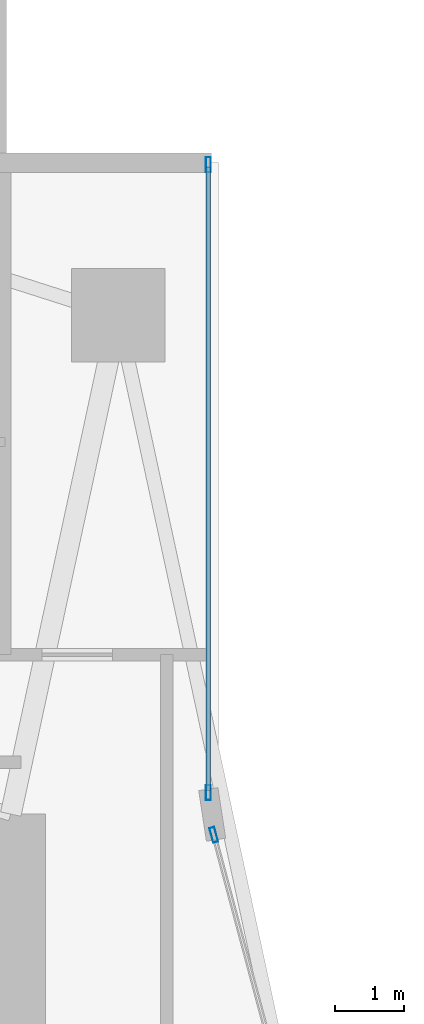
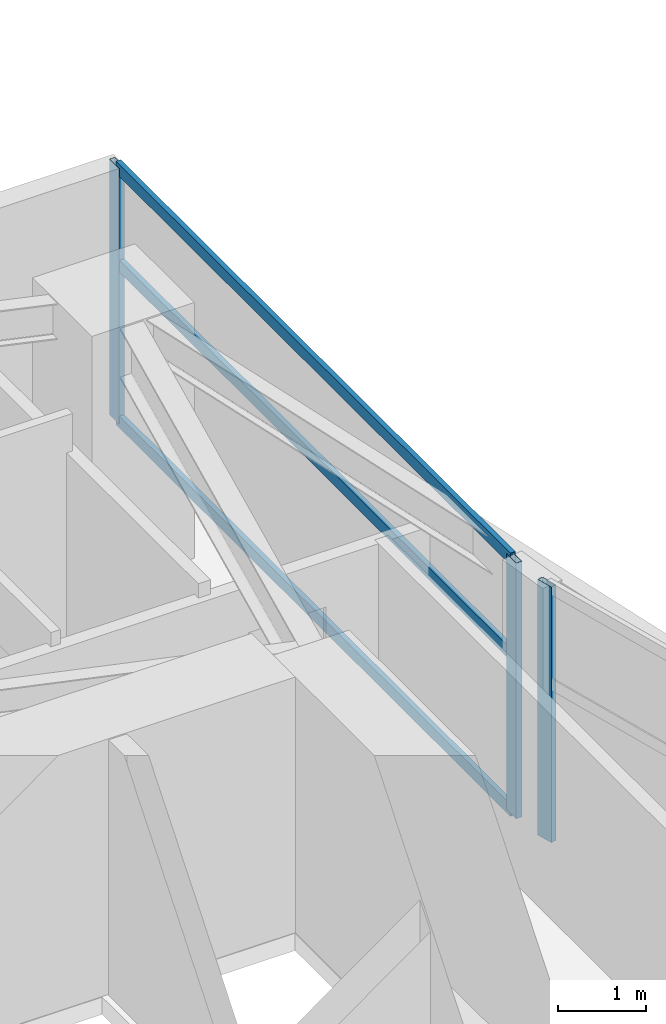
# One storey, part 18 of 30: 6 members, 2 elements without a shape of their own.
"""IFC4 building model written with IfcOpenShell, lengths in metres."""

from ifc_helpers import new_model, si_unit, direction, frame, origin, origin_2d, place, context, subcontext, project, spatial, hollow_rectangle, extrude, material, layer, layer_set, material_profile, profile_set, type_object, element, aggregate, save


model = new_model("IFC4")

# Units and contexts
model_context = context("Model", 3, precision=1e-05, world=origin(), true_north=direction((0.0, 1.0)))
body_context = subcontext(model_context, "Body", "Model", "MODEL_VIEW")
ifc_project = project(units=[si_unit("LENGTHUNIT", "METRE"), si_unit("AREAUNIT", "SQUARE_METRE"), si_unit("VOLUMEUNIT", "CUBIC_METRE"), si_unit("PLANEANGLEUNIT", "RADIAN"), si_unit("MASSUNIT", "GRAM", prefix="KILO")], contexts=[model_context])

# Site, building, storey
site_placement = place(None, origin())
site = spatial("IfcSite", under=ifc_project, at=site_placement, CompositionType="ELEMENT")
building_placement = place(site_placement, origin())
building = spatial("IfcBuilding", under=site, at=building_placement, Name="Calvorn Quay Hotel", CompositionType="ELEMENT")
storey_placement = place(building_placement, frame((0.0, 0.0, 77.39990234375)))
storey = spatial("IfcBuildingStorey", under=building, at=storey_placement, Name="L18", CompositionType="ELEMENT", Elevation=77.39990234375)

# Curtain wall, member
ifc_material_1 = material(Name="Pale Anodised Aluminium and Low-E Glass", Category="aluminium")
ifc_layer = layer(ifc_material_1, 0.219970703125)
ifc_layer_set = layer_set([ifc_layer], Name="CW-SYS-Z1")
curtain_wall_type = type_object("IfcCurtainWallType", Name="CW-SYS-Z1", PredefinedType="NOTDEFINED", material=ifc_layer_set)
curtain_wall_1_placement = place(storey_placement, origin())
curtain_wall_1 = element("IfcCurtainWall", 1, at=curtain_wall_1_placement, inside=storey, type_object=curtain_wall_type, Name="Inner Court Curtain Wall L18-IC1", PredefinedType="NOTDEFINED")
ifc_material_2 = material(Name="Pale Anodised Aluminium 6063-T6", Category="aluminium")
ifc_material_profile_1 = material_profile(ifc_material_2, hollow_rectangle(XDim=0.074951171875, YDim=0.219970703125, WallThickness=0.00439453125, at=origin_2d()), Name="ALU-M220x75x4.5")
ifc_profile_set_1 = profile_set([ifc_material_profile_1], Name="Pale Anodised Aluminium 6063-T6")
member_type_1 = type_object("IfcMemberType", Name="CW-SYS-Z1-MUL", PredefinedType="MULLION", material=ifc_profile_set_1)
member_1_placement = place(storey_placement, frame((17.9296875, 38.10107421875, 0.0), z_axis=(0.0, 0.0, 1.0), x_axis=(-0.96593652056, -0.25877913024, 0.0)))
member_1 = element("IfcMember", 2, at=member_1_placement, type_object=member_type_1, Name="CW-L18-IC1 mullion 2", PredefinedType="MULLION", context=body_context, shape_type="SweptSolid", body=[
    extrude(hollow_rectangle(XDim=0.074951171875, YDim=0.219970703125, WallThickness=0.00439453125, at=origin_2d()), origin(), (0.0, 0.0, 1.0), 3.56005859375),
])
aggregate(curtain_wall_1, [member_1])

# Curtain wall, members
curtain_wall_2_placement = place(storey_placement, origin())
curtain_wall_2 = element("IfcCurtainWall", 3, at=curtain_wall_2_placement, inside=storey, type_object=curtain_wall_type, Name="Inner Court Curtain Wall L18-IC2", PredefinedType="NOTDEFINED")
member_2_placement = place(storey_placement, frame((17.85009765625, 38.7099609375, 0.0), z_axis=(0.0, 0.0, 1.0), x_axis=(-1.0, 0.0, 0.0)))
member_2 = element("IfcMember", 4, at=member_2_placement, type_object=member_type_1, Name="CW-L18-IC2 mullion 1", PredefinedType="MULLION", context=body_context, shape_type="SweptSolid", body=[
    extrude(hollow_rectangle(XDim=0.074951171875, YDim=0.219970703125, WallThickness=0.00439453125, at=origin_2d()), origin(), (0.0, 0.0, 1.0), 3.56005859375),
])
member_3_placement = place(storey_placement, frame((17.85009765625, 47.77001953125, 0.0), z_axis=(0.0, 0.0, 1.0), x_axis=(-1.0, 0.0, 0.0)))
member_3 = element("IfcMember", 5, at=member_3_placement, type_object=member_type_1, Name="CW-L18-IC2 mullion 2", PredefinedType="MULLION", context=body_context, shape_type="SweptSolid", body=[
    extrude(hollow_rectangle(XDim=0.074951171875, YDim=0.219970703125, WallThickness=0.00439453125, at=origin_2d()), origin(), (0.0, 0.0, 1.0), 3.56005859375),
])
ifc_material_3 = material(Name="Pale Anodised Aluminium 6063-T6", Category="aluminium")
ifc_material_profile_2 = material_profile(ifc_material_3, hollow_rectangle(XDim=0.06494140625, YDim=0.1650390625, WallThickness=0.00341796875, at=origin_2d()), Name="ALU-T165x65x3.5")
ifc_profile_set_2 = profile_set([ifc_material_profile_2], Name="Pale Anodised Aluminium 6063-T6")
member_type_2 = type_object("IfcMemberType", Name="CW-SYS-Z1-TRN", PredefinedType="USERDEFINED", material=ifc_profile_set_2)
member_4_placement = place(storey_placement, frame((17.85009765625, 38.739990234375, 0.030029296875), z_axis=(0.0, 1.0, 0.0), x_axis=(-1.0, 0.0, 0.0)))
member_4 = element("IfcMember", 6, at=member_4_placement, type_object=member_type_2, Name="CW-L18-IC2 transom 1.1", ObjectType="TRANSOM", PredefinedType="USERDEFINED", context=body_context, shape_type="SweptSolid", body=[
    extrude(hollow_rectangle(XDim=0.06494140625, YDim=0.1650390625, WallThickness=0.00341796875, at=origin_2d()), origin(), (0.0, 0.0, 1.0), 9.0),
])
member_5_placement = place(storey_placement, frame((17.85009765625, 38.739990234375, 2.2001953125), z_axis=(0.0, 1.0, 0.0), x_axis=(-1.0, 0.0, 0.0)))
member_5 = element("IfcMember", 7, at=member_5_placement, type_object=member_type_2, Name="CW-L18-IC2 transom 1.2", ObjectType="TRANSOM", PredefinedType="USERDEFINED", context=body_context, shape_type="SweptSolid", body=[
    extrude(hollow_rectangle(XDim=0.06494140625, YDim=0.1650390625, WallThickness=0.00341796875, at=origin_2d()), origin(), (0.0, 0.0, 1.0), 9.0),
])
member_6_placement = place(storey_placement, frame((17.85009765625, 38.739990234375, 3.530029296875), z_axis=(0.0, 1.0, 0.0), x_axis=(-1.0, 0.0, 0.0)))
member_6 = element("IfcMember", 8, at=member_6_placement, type_object=member_type_2, Name="CW-L18-IC2 transom 1.3", ObjectType="TRANSOM", PredefinedType="USERDEFINED", context=body_context, shape_type="SweptSolid", body=[
    extrude(hollow_rectangle(XDim=0.06494140625, YDim=0.1650390625, WallThickness=0.00341796875, at=origin_2d()), origin(), (0.0, 0.0, 1.0), 9.0),
])
aggregate(curtain_wall_2, [member_2, member_3, member_4, member_5, member_6])

save(model, "model.ifc")
